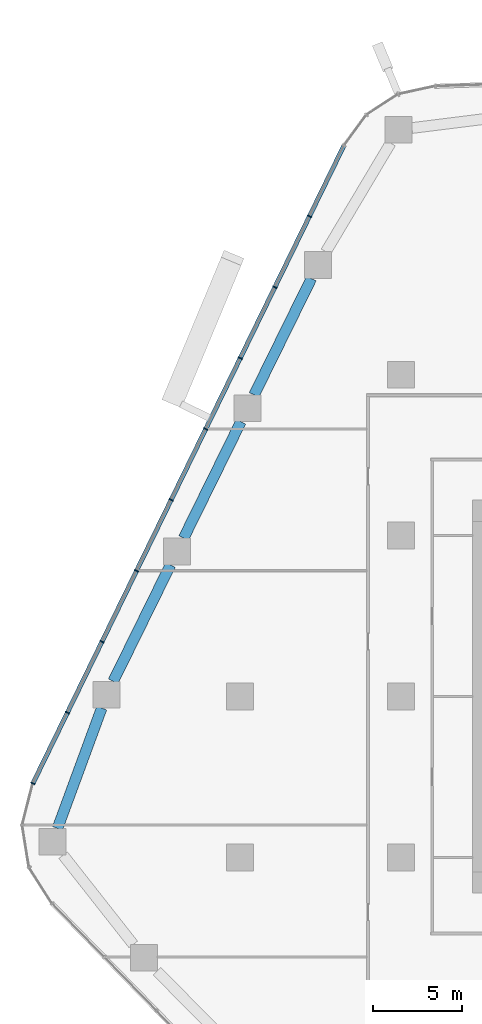
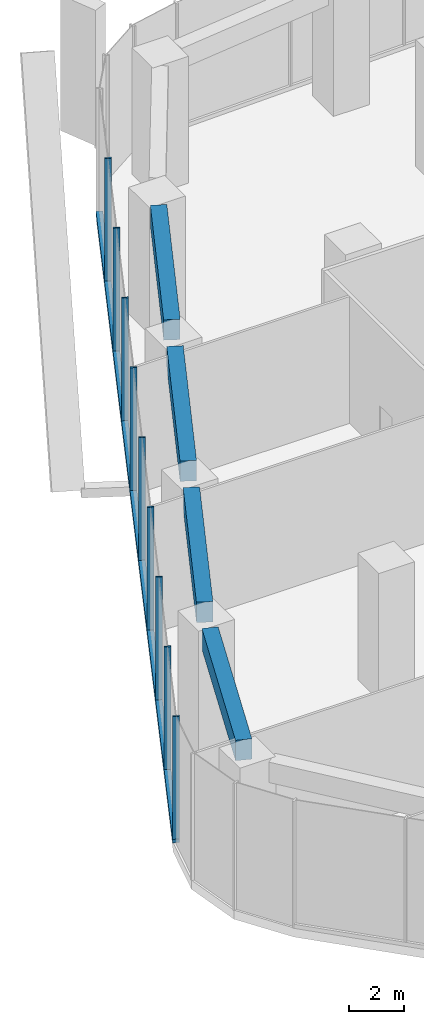
# One storey, part 4 of 19: 10 members, 4 beams, 1 element without a shape of its own.
"""IFC4 building model written with IfcOpenShell, lengths in metres."""

import ifcopenshell
import ifcopenshell.guid

model = None  # the IFC model being written
_history = None  # IfcOwnerHistory: only IFC2X3 demands one
_inside = {}  # id of a spatial element -> (the spatial element, [elements in it])
_under = {}  # id of a project, library or spatial element -> (it, [spatial elements below it])
_declared = {}  # id of a project -> (the project, [libraries it declares])
_typed = {}  # id of a type object -> (the type object, [elements of that type])
_made_of = {}  # id of a material, layer set ... -> (it, [elements and type objects made of it])


def new_model(schema):
    """Start an empty IFC model of exactly this schema.

    Asked for "IFC4X3", IfcOpenShell would pick the latest addendum, in which some entities
    have other attributes; the version numbers below select the first issue.
    IFC2X3 requires an IfcOwnerHistory on every rooted entity: one is made here for all.
    """
    global model, _history
    if schema == "IFC4X3":
        model = ifcopenshell.file(schema_version=(4, 3, 0, 0))
    else:
        model = ifcopenshell.file(schema=schema)
    _inside.clear()
    _under.clear()
    _declared.clear()
    _typed.clear()
    _made_of.clear()
    _history = None
    if model.schema == "IFC2X3":
        org = make("IfcOrganization", Name="unknown")
        user = make(
            "IfcPersonAndOrganization",
            ThePerson=make("IfcPerson", FamilyName="unknown"),
            TheOrganization=org,
        )
        app = make(
            "IfcApplication",
            ApplicationDeveloper=org,
            Version="unknown",
            ApplicationFullName="unknown",
            ApplicationIdentifier="unknown",
        )
        _history = make(
            "IfcOwnerHistory",
            OwningUser=user,
            OwningApplication=app,
            ChangeAction="ADDED",
            CreationDate=0,
        )
    return model


def make(cls, **values):
    """One entity of the class cls with the attributes given. An attribute that is None is left unset."""
    return model.create_entity(
        cls, **{name: value for name, value in values.items() if value is not None}
    )


def rooted(cls, **values):
    """An entity with a GlobalId (a new one), such as an element, a storey or a relation."""
    return make(cls, GlobalId=ifcopenshell.guid.new(), OwnerHistory=_history, **values)


def si_unit(unit_type, name, prefix=None):
    """IfcSIUnit, for example si_unit("LENGTHUNIT", "METRE", prefix="MILLI")."""
    return make("IfcSIUnit", UnitType=unit_type, Prefix=prefix, Name=name)


def assignment(units):
    """IfcUnitAssignment: the units of a project."""
    return None if units is None else make("IfcUnitAssignment", Units=units)


def point(xyz):
    """IfcCartesianPoint."""
    return None if xyz is None else make("IfcCartesianPoint", Coordinates=xyz)


def direction(xyz):
    """IfcDirection."""
    return None if xyz is None else make("IfcDirection", DirectionRatios=xyz)


def frame(location, z_axis=None, x_axis=None):
    """IfcAxis2Placement3D, a coordinate frame: its origin and axes. An axis left out is left unset."""
    return make(
        "IfcAxis2Placement3D",
        Location=point(location),
        Axis=direction(z_axis),
        RefDirection=direction(x_axis),
    )


def frame_2d(location, x_axis=None):
    """IfcAxis2Placement2D, a coordinate frame in the plane: its origin and x axis."""
    return make(
        "IfcAxis2Placement2D", Location=point(location), RefDirection=direction(x_axis)
    )


def origin():
    """The frame at (0, 0, 0) with its axes left unset."""
    return frame((0.0, 0.0, 0.0))


def origin_2d():
    """The frame at (0, 0) in the plane with its x axis left unset."""
    return frame_2d((0.0, 0.0))


def place(relative_to, where):
    """IfcLocalPlacement: puts the frame where relative to a parent placement (None: the world)."""
    return make(
        "IfcLocalPlacement", PlacementRelTo=relative_to, RelativePlacement=where
    )


def context(
    kind, dimensions, precision=None, world=None, true_north=None, identifier=None
):
    """IfcGeometricRepresentationContext, for example the 3D "Model" context."""
    return make(
        "IfcGeometricRepresentationContext",
        ContextIdentifier=identifier,
        ContextType=kind,
        CoordinateSpaceDimension=dimensions,
        Precision=precision,
        WorldCoordinateSystem=world,
        TrueNorth=true_north,
    )


def subcontext(parent, identifier, kind, view, scale=None):
    """IfcGeometricRepresentationSubContext, for example "Body" below "Model"."""
    return make(
        "IfcGeometricRepresentationSubContext",
        ContextIdentifier=identifier,
        ContextType=kind,
        ParentContext=parent,
        TargetScale=scale,
        TargetView=view,
    )


def project(units=None, contexts=None):
    """IfcProject with its units and contexts."""
    return rooted(
        "IfcProject",
        Name="project",
        RepresentationContexts=contexts,
        UnitsInContext=assignment(units),
    )


def spatial(cls, under=None, at=None, **own):
    """A site, building, storey or space (cls), placed at a placement, below another one or the project."""
    s = rooted(cls, ObjectPlacement=at, **own)
    if under is not None:
        _under.setdefault(under.id(), (under, []))[1].append(s)
    return s


def profile(cls, at=None, kind="AREA", **sizes):
    """A parametric profile (cls). Its sizes go by their IFC names, for example OverallWidth=200.0."""
    return make(cls, ProfileType=kind, Position=at, **sizes)


def rectangle(**sizes):
    """IfcRectangleProfileDef."""
    return profile("IfcRectangleProfileDef", **sizes)


def extrude(swept, where, along, depth):
    """IfcExtrudedAreaSolid: the profile swept, set in the frame where, extruded along a direction by depth."""
    return make(
        "IfcExtrudedAreaSolid",
        SweptArea=swept,
        Position=where,
        ExtrudedDirection=direction(along),
        Depth=depth,
    )


def shape(context_of_items, identifier, shape_type, items):
    """IfcShapeRepresentation: the items that make up one representation, for example the "Body"."""
    return make(
        "IfcShapeRepresentation",
        ContextOfItems=context_of_items,
        RepresentationIdentifier=identifier,
        RepresentationType=shape_type,
        Items=items,
    )


def material(Name=None, Category=None):
    """IfcMaterial."""
    return make("IfcMaterial", Name=Name, Category=Category)


def layer(
    of_material, thickness, ventilated=None, Name=None, Category=None, Priority=None
):
    """IfcMaterialLayer: one layer of a wall or slab, of a material (None: an air gap)."""
    return make(
        "IfcMaterialLayer",
        Material=of_material,
        LayerThickness=thickness,
        IsVentilated=ventilated,
        Name=Name,
        Category=Category,
        Priority=Priority,
    )


def layer_set(layers, Name=None):
    """IfcMaterialLayerSet."""
    return make("IfcMaterialLayerSet", MaterialLayers=layers, LayerSetName=Name)


def material_profile(
    of_material, cross_section, Name=None, Category=None, Priority=None
):
    """IfcMaterialProfile: a cross section and its material."""
    return make(
        "IfcMaterialProfile",
        Name=Name,
        Material=of_material,
        Profile=cross_section,
        Priority=Priority,
        Category=Category,
    )


def profile_set(profiles, Name=None, composite=None):
    """IfcMaterialProfileSet."""
    return make(
        "IfcMaterialProfileSet",
        Name=Name,
        MaterialProfiles=profiles,
        CompositeProfile=composite,
    )


def made_of(thing, what):
    """Note that an element or type object is made of a material, layer set ...; save() writes the relation."""
    if what is not None:
        _made_of.setdefault(what.id(), (what, []))[1].append(thing)
    return thing


def type_object(cls, material=None, **own):
    """A type object (cls), such as IfcWallType, which elements share."""
    return made_of(rooted(cls, **own), material)


def element(
    cls,
    number,
    at=None,
    inside=None,
    cuts=None,
    type_object=None,
    material=None,
    context=None,
    identifier="Body",
    shape_type=None,
    held_by="IfcProductDefinitionShape",
    body=None,
    shapes=None,
    **own,
):
    """One element of the class cls, such as IfcWall. Its Tag is "e" and its number.

    at: its placement. inside: the storey or other place that contains it. cuts: it is an
    opening in that element (IfcRelVoidsElement). A single representation is given by context,
    identifier, shape_type and body (its items); several are given by shapes. held_by: the class
    of the entity that holds the representations. save() writes the other relations.
    """
    e = rooted(cls, Tag="e%d" % number, ObjectPlacement=at, **own)
    if body is not None:
        shapes = [shape(context, identifier, shape_type, body)]
    if shapes is not None:
        e.Representation = make(held_by, Representations=shapes)
    if inside is not None:
        _inside.setdefault(inside.id(), (inside, []))[1].append(e)
    if cuts is not None:
        rooted(
            "IfcRelVoidsElement", RelatingBuildingElement=cuts, RelatedOpeningElement=e
        )
    if type_object is not None:
        _typed.setdefault(type_object.id(), (type_object, []))[1].append(e)
    return made_of(e, material)


def aggregate(whole, parts):
    """IfcRelAggregates: a whole, such as a stair, and the parts it consists of."""
    return rooted("IfcRelAggregates", RelatingObject=whole, RelatedObjects=parts)


def save(model, path):
    """Write the relations noted so far, then the file.

    IfcRelAggregates (storeys below a building ...), IfcRelContainedInSpatialStructure (elements
    in a storey), IfcRelDefinesByType, IfcRelAssociatesMaterial and IfcRelDeclares: one each for
    every whole, place, type object, material and project.
    """
    for whole, parts in _under.values():
        aggregate(whole, parts)
    for where, things in _inside.values():
        rooted(
            "IfcRelContainedInSpatialStructure",
            RelatedElements=things,
            RelatingStructure=where,
        )
    for kind, things in _typed.values():
        rooted("IfcRelDefinesByType", RelatedObjects=things, RelatingType=kind)
    for what, things in _made_of.values():
        rooted("IfcRelAssociatesMaterial", RelatedObjects=things, RelatingMaterial=what)
    for by, libraries in _declared.values():
        rooted("IfcRelDeclares", RelatingContext=by, RelatedDefinitions=libraries)
    model.write(path)


model = new_model("IFC4")

# Units and contexts
model_context = context("Model", 3, precision=1e-05, world=origin(), true_north=direction((0.0, 1.0)))
body_context = subcontext(model_context, "Body", "Model", "MODEL_VIEW")
ifc_project = project(units=[si_unit("LENGTHUNIT", "METRE"), si_unit("AREAUNIT", "SQUARE_METRE"), si_unit("VOLUMEUNIT", "CUBIC_METRE"), si_unit("PLANEANGLEUNIT", "RADIAN"), si_unit("MASSUNIT", "GRAM", prefix="KILO")], contexts=[model_context])

# Site, building, storey
site_placement = place(None, origin())
site = spatial("IfcSite", under=ifc_project, at=site_placement, CompositionType="ELEMENT")
building_placement = place(site_placement, origin())
building = spatial("IfcBuilding", under=site, at=building_placement, Name="Dongbaek Canopy Tower", CompositionType="ELEMENT")
storey_placement = place(building_placement, frame((0.0, 0.0, 38.0)))
storey = spatial("IfcBuildingStorey", under=building, at=storey_placement, Name="L05", CompositionType="ELEMENT", Elevation=38.0)

# Curtain wall, members
ifc_material_1 = material(Name="Aluminium 6063-T6 pale anodised", Category="aluminium")
ifc_layer = layer(ifc_material_1, 0.25)
ifc_layer_set = layer_set([ifc_layer], Name="CW-4 sky-lobby curtain wall")
curtain_wall_type = type_object("IfcCurtainWallType", Name="CW-4 sky-lobby curtain wall", PredefinedType="NOTDEFINED", material=ifc_layer_set)
curtain_wall_placement = place(storey_placement, origin())
curtain_wall = element("IfcCurtainWall", 1, at=curtain_wall_placement, inside=storey, type_object=curtain_wall_type, Name="CW-4 curtain wall F2.1", PredefinedType="NOTDEFINED")
ifc_material_2 = material(Name="Aluminium 6063-T6 pale anodised", Category="aluminium")
ifc_material_profile_1 = material_profile(ifc_material_2, rectangle(XDim=0.25, YDim=0.070068359375, at=origin_2d()), Name="CW-4 mullion 70 x 250")
ifc_profile_set_1 = profile_set([ifc_material_profile_1], Name="Aluminium 6063-T6 pale anodised")
member_type_1 = type_object("IfcMemberType", Name="CW-4 mullion 70 x 250", PredefinedType="MULLION", material=ifc_profile_set_1)
member_1_placement = place(storey_placement, frame((-23.122802734375, 26.859375, 0.179931640625), z_axis=(0.0, 0.0, 1.0), x_axis=(-0.898815091444, 0.438327995219, 0.0)))
member_1 = element("IfcMember", 2, at=member_1_placement, type_object=member_type_1, Name="CW-4 mullion F2.1.2", PredefinedType="MULLION", context=body_context, shape_type="SweptSolid", body=[
    extrude(rectangle(XDim=0.25, YDim=0.070068359375, at=origin_2d()), origin(), (0.0, 0.0, 1.0), 5.420166015625),
])
member_2_placement = place(storey_placement, frame((-25.056640625, 22.893798828125, 0.179931640625), z_axis=(0.0, 0.0, 1.0), x_axis=(-0.898815091444, 0.438327995219, 0.0)))
member_2 = element("IfcMember", 3, at=member_2_placement, type_object=member_type_1, Name="CW-4 mullion F2.1.3", PredefinedType="MULLION", context=body_context, shape_type="SweptSolid", body=[
    extrude(rectangle(XDim=0.25, YDim=0.070068359375, at=origin_2d()), origin(), (0.0, 0.0, 1.0), 5.420166015625),
])
member_3_placement = place(storey_placement, frame((-26.990478515625, 18.928466796875, 0.179931640625), z_axis=(0.0, 0.0, 1.0), x_axis=(-0.898815091444, 0.438327995219, 0.0)))
member_3 = element("IfcMember", 4, at=member_3_placement, type_object=member_type_1, Name="CW-4 mullion F2.1.4", PredefinedType="MULLION", context=body_context, shape_type="SweptSolid", body=[
    extrude(rectangle(XDim=0.25, YDim=0.070068359375, at=origin_2d()), origin(), (0.0, 0.0, 1.0), 5.420166015625),
])
member_4_placement = place(storey_placement, frame((-28.92431640625, 14.963134765625, 0.179931640625), z_axis=(0.0, 0.0, 1.0), x_axis=(-0.898815091444, 0.438327995219, 0.0)))
member_4 = element("IfcMember", 5, at=member_4_placement, type_object=member_type_1, Name="CW-4 mullion F2.1.5", PredefinedType="MULLION", context=body_context, shape_type="SweptSolid", body=[
    extrude(rectangle(XDim=0.25, YDim=0.070068359375, at=origin_2d()), origin(), (0.0, 0.0, 1.0), 5.420166015625),
])
member_5_placement = place(storey_placement, frame((-30.858154296875, 10.99755859375, 0.179931640625), z_axis=(0.0, 0.0, 1.0), x_axis=(-0.898815091444, 0.438327995219, 0.0)))
member_5 = element("IfcMember", 6, at=member_5_placement, type_object=member_type_1, Name="CW-4 mullion F2.1.6", PredefinedType="MULLION", context=body_context, shape_type="SweptSolid", body=[
    extrude(rectangle(XDim=0.25, YDim=0.070068359375, at=origin_2d()), origin(), (0.0, 0.0, 1.0), 5.420166015625),
])
member_6_placement = place(storey_placement, frame((-32.7919921875, 7.0322265625, 0.179931640625), z_axis=(0.0, 0.0, 1.0), x_axis=(-0.898815091444, 0.438327995219, 0.0)))
member_6 = element("IfcMember", 7, at=member_6_placement, type_object=member_type_1, Name="CW-4 mullion F2.1.7", PredefinedType="MULLION", context=body_context, shape_type="SweptSolid", body=[
    extrude(rectangle(XDim=0.25, YDim=0.070068359375, at=origin_2d()), origin(), (0.0, 0.0, 1.0), 5.420166015625),
])
member_7_placement = place(storey_placement, frame((-34.725830078125, 3.06689453125, 0.179931640625), z_axis=(0.0, 0.0, 1.0), x_axis=(-0.898815091444, 0.438327995219, 0.0)))
member_7 = element("IfcMember", 8, at=member_7_placement, type_object=member_type_1, Name="CW-4 mullion F2.1.8", PredefinedType="MULLION", context=body_context, shape_type="SweptSolid", body=[
    extrude(rectangle(XDim=0.25, YDim=0.070068359375, at=origin_2d()), origin(), (0.0, 0.0, 1.0), 5.420166015625),
])
member_8_placement = place(storey_placement, frame((-36.65966796875, -0.898681640625, 0.179931640625), z_axis=(0.0, 0.0, 1.0), x_axis=(-0.898815091444, 0.438327995219, 0.0)))
member_8 = element("IfcMember", 9, at=member_8_placement, type_object=member_type_1, Name="CW-4 mullion F2.1.9", PredefinedType="MULLION", context=body_context, shape_type="SweptSolid", body=[
    extrude(rectangle(XDim=0.25, YDim=0.070068359375, at=origin_2d()), origin(), (0.0, 0.0, 1.0), 5.420166015625),
])
member_9_placement = place(storey_placement, frame((-38.589111328125, -4.854736328125, 0.179931640625), z_axis=(0.0, 0.0, 1.0), x_axis=(-0.898815091444, 0.438327995219, 0.0)))
member_9 = element("IfcMember", 10, at=member_9_placement, type_object=member_type_1, Name="CW-4 mullion F2.1.10", PredefinedType="MULLION", context=body_context, shape_type="SweptSolid", body=[
    extrude(rectangle(XDim=0.25, YDim=0.070068359375, at=origin_2d()), origin(), (0.0, 0.0, 1.0), 5.420166015625),
])
ifc_material_3 = material(Name="Aluminium 6063-T6 pale anodised", Category="aluminium")
ifc_material_profile_2 = material_profile(ifc_material_3, rectangle(XDim=0.25, YDim=0.179931640625, at=origin_2d()), Name="CW-4 transom 180 x 250")
ifc_profile_set_2 = profile_set([ifc_material_profile_2], Name="Aluminium 6063-T6 pale anodised")
member_type_2 = type_object("IfcMemberType", Name="CW-4 transom 180 x 250", PredefinedType="USERDEFINED", material=ifc_profile_set_2)
member_10_placement = place(storey_placement, frame((-21.193115234375, 30.816650390625, 0.090087890625), z_axis=(-0.438328366472, -0.898814910394, 0.0), x_axis=(0.898814910394, -0.438328366472, 0.0)))
member_10 = element("IfcMember", 11, at=member_10_placement, type_object=member_type_2, Name="CW-4 transom F2.1.1", ObjectType="TRANSOM", PredefinedType="USERDEFINED", context=body_context, shape_type="SweptSolid", body=[
    extrude(rectangle(XDim=0.25, YDim=0.179931640625, at=origin_2d()), origin(), (0.0, 0.0, 1.0), 39.68701171875),
])
aggregate(curtain_wall, [member_1, member_2, member_3, member_4, member_5, member_6, member_7, member_8, member_9, member_10])

# Beams
ifc_material_4 = material(Name="Concrete C80", Category="concrete")
ifc_material_profile_3 = material_profile(ifc_material_4, rectangle(XDim=0.60009765625, YDim=0.89990234375, at=origin_2d()), Name="RC EDGE BEAM 600x900 C80")
ifc_profile_set_3 = profile_set([ifc_material_profile_3], Name="Concrete C80")
beam_type = type_object("IfcBeamType", Name="RC EDGE BEAM 600x900 C80", PredefinedType="BEAM", material=ifc_profile_set_3)
beam_1_placement = place(storey_placement, frame((-37.213134765625, -7.373046875, 5.14990234375), z_axis=(0.345225397682, 0.938519805223, 0.0), x_axis=(-0.938519805223, 0.345225397682, 0.0)))
element("IfcBeam", 12, at=beam_1_placement, inside=storey, type_object=beam_type, Name="EDGEBEAM:L05:08", PredefinedType="BEAM", context=body_context, shape_type="SweptSolid", body=[
    extrude(rectangle(XDim=0.60009765625, YDim=0.89990234375, at=origin_2d()), origin(), (0.0, 0.0, 1.0), 7.166748046875),
])
beam_2_placement = place(storey_placement, frame((-34.09423828125, 0.85302734375, 5.14990234375), z_axis=(0.441292548313, 0.897363297, 0.0), x_axis=(-0.897363297, 0.441292548313, 0.0)))
element("IfcBeam", 13, at=beam_2_placement, inside=storey, type_object=beam_type, Name="EDGEBEAM:L05:09", PredefinedType="BEAM", context=body_context, shape_type="SweptSolid", body=[
    extrude(rectangle(XDim=0.60009765625, YDim=0.89990234375, at=origin_2d()), origin(), (0.0, 0.0, 1.0), 7.25244140625),
])
for number, where, z_axis, x_axis, name in (
    (14, (-30.156005859375, 8.861083984375, 5.14990234375), (0.441413427837, 0.897303842477, 0.0), (-0.897303842477, 0.441413427837, 0.0), "EDGEBEAM:L05:10"),
    (15, (-26.217041015625, 16.867919921875, 5.14990234375), (0.441318766596, 0.897350403271, 0.0), (-0.897350403271, 0.441318766596, 0.0), "EDGEBEAM:L05:11"),
):
    element("IfcBeam", number, at=place(storey_placement, frame(where, z_axis=z_axis, x_axis=x_axis)), inside=storey, type_object=beam_type, Name=name, PredefinedType="BEAM", context=body_context, shape_type="SweptSolid", body=[
        extrude(rectangle(XDim=0.60009765625, YDim=0.89990234375, at=origin_2d()), origin(), (0.0, 0.0, 1.0), 7.25146484375),
    ])

save(model, "model.ifc")
